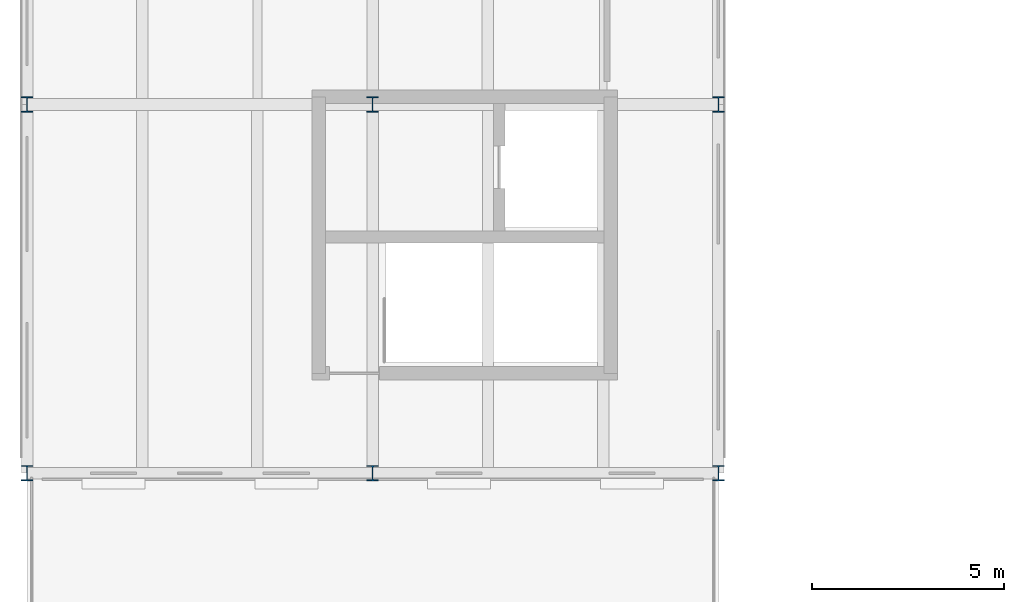
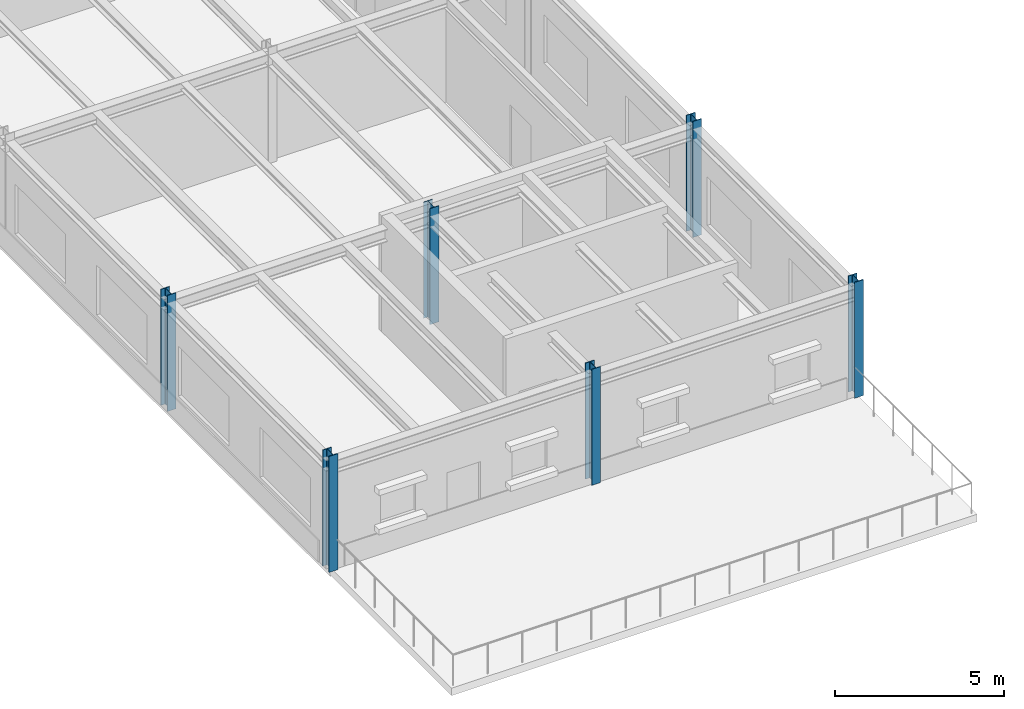
# One storey, part 2 of 69: 6 columns.
"""IFC4 building model written with IfcOpenShell, lengths in metres."""

import ifcopenshell
import ifcopenshell.guid

model = None  # the IFC model being written
_history = None  # IfcOwnerHistory: only IFC2X3 demands one
_inside = {}  # id of a spatial element -> (the spatial element, [elements in it])
_under = {}  # id of a project, library or spatial element -> (it, [spatial elements below it])
_declared = {}  # id of a project -> (the project, [libraries it declares])
_typed = {}  # id of a type object -> (the type object, [elements of that type])
_made_of = {}  # id of a material, layer set ... -> (it, [elements and type objects made of it])


def new_model(schema):
    """Start an empty IFC model of exactly this schema.

    Asked for "IFC4X3", IfcOpenShell would pick the latest addendum, in which some entities
    have other attributes; the version numbers below select the first issue.
    IFC2X3 requires an IfcOwnerHistory on every rooted entity: one is made here for all.
    """
    global model, _history
    if schema == "IFC4X3":
        model = ifcopenshell.file(schema_version=(4, 3, 0, 0))
    else:
        model = ifcopenshell.file(schema=schema)
    _inside.clear()
    _under.clear()
    _declared.clear()
    _typed.clear()
    _made_of.clear()
    _history = None
    if model.schema == "IFC2X3":
        org = make("IfcOrganization", Name="unknown")
        user = make(
            "IfcPersonAndOrganization",
            ThePerson=make("IfcPerson", FamilyName="unknown"),
            TheOrganization=org,
        )
        app = make(
            "IfcApplication",
            ApplicationDeveloper=org,
            Version="unknown",
            ApplicationFullName="unknown",
            ApplicationIdentifier="unknown",
        )
        _history = make(
            "IfcOwnerHistory",
            OwningUser=user,
            OwningApplication=app,
            ChangeAction="ADDED",
            CreationDate=0,
        )
    return model


def make(cls, **values):
    """One entity of the class cls with the attributes given. An attribute that is None is left unset."""
    return model.create_entity(
        cls, **{name: value for name, value in values.items() if value is not None}
    )


def rooted(cls, **values):
    """An entity with a GlobalId (a new one), such as an element, a storey or a relation."""
    return make(cls, GlobalId=ifcopenshell.guid.new(), OwnerHistory=_history, **values)


def si_unit(unit_type, name, prefix=None):
    """IfcSIUnit, for example si_unit("LENGTHUNIT", "METRE", prefix="MILLI")."""
    return make("IfcSIUnit", UnitType=unit_type, Prefix=prefix, Name=name)


def assignment(units):
    """IfcUnitAssignment: the units of a project."""
    return None if units is None else make("IfcUnitAssignment", Units=units)


def point(xyz):
    """IfcCartesianPoint."""
    return None if xyz is None else make("IfcCartesianPoint", Coordinates=xyz)


def direction(xyz):
    """IfcDirection."""
    return None if xyz is None else make("IfcDirection", DirectionRatios=xyz)


def frame(location, z_axis=None, x_axis=None):
    """IfcAxis2Placement3D, a coordinate frame: its origin and axes. An axis left out is left unset."""
    return make(
        "IfcAxis2Placement3D",
        Location=point(location),
        Axis=direction(z_axis),
        RefDirection=direction(x_axis),
    )


def frame_2d(location, x_axis=None):
    """IfcAxis2Placement2D, a coordinate frame in the plane: its origin and x axis."""
    return make(
        "IfcAxis2Placement2D", Location=point(location), RefDirection=direction(x_axis)
    )


def origin():
    """The frame at (0, 0, 0) with its axes left unset."""
    return frame((0.0, 0.0, 0.0))


def origin_2d():
    """The frame at (0, 0) in the plane with its x axis left unset."""
    return frame_2d((0.0, 0.0))


def place(relative_to, where):
    """IfcLocalPlacement: puts the frame where relative to a parent placement (None: the world)."""
    return make(
        "IfcLocalPlacement", PlacementRelTo=relative_to, RelativePlacement=where
    )


def context(
    kind, dimensions, precision=None, world=None, true_north=None, identifier=None
):
    """IfcGeometricRepresentationContext, for example the 3D "Model" context."""
    return make(
        "IfcGeometricRepresentationContext",
        ContextIdentifier=identifier,
        ContextType=kind,
        CoordinateSpaceDimension=dimensions,
        Precision=precision,
        WorldCoordinateSystem=world,
        TrueNorth=true_north,
    )


def subcontext(parent, identifier, kind, view, scale=None):
    """IfcGeometricRepresentationSubContext, for example "Body" below "Model"."""
    return make(
        "IfcGeometricRepresentationSubContext",
        ContextIdentifier=identifier,
        ContextType=kind,
        ParentContext=parent,
        TargetScale=scale,
        TargetView=view,
    )


def project(units=None, contexts=None):
    """IfcProject with its units and contexts."""
    return rooted(
        "IfcProject",
        Name="project",
        RepresentationContexts=contexts,
        UnitsInContext=assignment(units),
    )


def spatial(cls, under=None, at=None, **own):
    """A site, building, storey or space (cls), placed at a placement, below another one or the project."""
    s = rooted(cls, ObjectPlacement=at, **own)
    if under is not None:
        _under.setdefault(under.id(), (under, []))[1].append(s)
    return s


def profile(cls, at=None, kind="AREA", **sizes):
    """A parametric profile (cls). Its sizes go by their IFC names, for example OverallWidth=200.0."""
    return make(cls, ProfileType=kind, Position=at, **sizes)


def i_section(**sizes):
    """IfcIShapeProfileDef."""
    return profile("IfcIShapeProfileDef", **sizes)


def extrude(swept, where, along, depth):
    """IfcExtrudedAreaSolid: the profile swept, set in the frame where, extruded along a direction by depth."""
    return make(
        "IfcExtrudedAreaSolid",
        SweptArea=swept,
        Position=where,
        ExtrudedDirection=direction(along),
        Depth=depth,
    )


def shape(context_of_items, identifier, shape_type, items):
    """IfcShapeRepresentation: the items that make up one representation, for example the "Body"."""
    return make(
        "IfcShapeRepresentation",
        ContextOfItems=context_of_items,
        RepresentationIdentifier=identifier,
        RepresentationType=shape_type,
        Items=items,
    )


def material(Name=None, Category=None):
    """IfcMaterial."""
    return make("IfcMaterial", Name=Name, Category=Category)


def material_profile(
    of_material, cross_section, Name=None, Category=None, Priority=None
):
    """IfcMaterialProfile: a cross section and its material."""
    return make(
        "IfcMaterialProfile",
        Name=Name,
        Material=of_material,
        Profile=cross_section,
        Priority=Priority,
        Category=Category,
    )


def profile_set(profiles, Name=None, composite=None):
    """IfcMaterialProfileSet."""
    return make(
        "IfcMaterialProfileSet",
        Name=Name,
        MaterialProfiles=profiles,
        CompositeProfile=composite,
    )


def made_of(thing, what):
    """Note that an element or type object is made of a material, layer set ...; save() writes the relation."""
    if what is not None:
        _made_of.setdefault(what.id(), (what, []))[1].append(thing)
    return thing


def type_object(cls, material=None, **own):
    """A type object (cls), such as IfcWallType, which elements share."""
    return made_of(rooted(cls, **own), material)


def element(
    cls,
    number,
    at=None,
    inside=None,
    cuts=None,
    type_object=None,
    material=None,
    context=None,
    identifier="Body",
    shape_type=None,
    held_by="IfcProductDefinitionShape",
    body=None,
    shapes=None,
    **own,
):
    """One element of the class cls, such as IfcWall. Its Tag is "e" and its number.

    at: its placement. inside: the storey or other place that contains it. cuts: it is an
    opening in that element (IfcRelVoidsElement). A single representation is given by context,
    identifier, shape_type and body (its items); several are given by shapes. held_by: the class
    of the entity that holds the representations. save() writes the other relations.
    """
    e = rooted(cls, Tag="e%d" % number, ObjectPlacement=at, **own)
    if body is not None:
        shapes = [shape(context, identifier, shape_type, body)]
    if shapes is not None:
        e.Representation = make(held_by, Representations=shapes)
    if inside is not None:
        _inside.setdefault(inside.id(), (inside, []))[1].append(e)
    if cuts is not None:
        rooted(
            "IfcRelVoidsElement", RelatingBuildingElement=cuts, RelatedOpeningElement=e
        )
    if type_object is not None:
        _typed.setdefault(type_object.id(), (type_object, []))[1].append(e)
    return made_of(e, material)


def aggregate(whole, parts):
    """IfcRelAggregates: a whole, such as a stair, and the parts it consists of."""
    return rooted("IfcRelAggregates", RelatingObject=whole, RelatedObjects=parts)


def save(model, path):
    """Write the relations noted so far, then the file.

    IfcRelAggregates (storeys below a building ...), IfcRelContainedInSpatialStructure (elements
    in a storey), IfcRelDefinesByType, IfcRelAssociatesMaterial and IfcRelDeclares: one each for
    every whole, place, type object, material and project.
    """
    for whole, parts in _under.values():
        aggregate(whole, parts)
    for where, things in _inside.values():
        rooted(
            "IfcRelContainedInSpatialStructure",
            RelatedElements=things,
            RelatingStructure=where,
        )
    for kind, things in _typed.values():
        rooted("IfcRelDefinesByType", RelatedObjects=things, RelatingType=kind)
    for what, things in _made_of.values():
        rooted("IfcRelAssociatesMaterial", RelatedObjects=things, RelatingMaterial=what)
    for by, libraries in _declared.values():
        rooted("IfcRelDeclares", RelatingContext=by, RelatedDefinitions=libraries)
    model.write(path)


model = new_model("IFC4")

# Units and contexts
model_context = context("Model", 3, precision=1e-05, world=origin(), true_north=direction((0.0, 1.0)))
body_context = subcontext(model_context, "Body", "Model", "MODEL_VIEW")
ifc_project = project(units=[si_unit("LENGTHUNIT", "METRE"), si_unit("AREAUNIT", "SQUARE_METRE"), si_unit("VOLUMEUNIT", "CUBIC_METRE"), si_unit("PLANEANGLEUNIT", "RADIAN"), si_unit("MASSUNIT", "GRAM", prefix="KILO")], contexts=[model_context])

# Site, building, storey
site_placement = place(None, origin())
site = spatial("IfcSite", under=ifc_project, at=site_placement, CompositionType="ELEMENT")
building_placement = place(site_placement, origin())
building = spatial("IfcBuilding", under=site, at=building_placement, Name="Montealbar Specialist Clinic", CompositionType="ELEMENT")
storey_placement = place(building_placement, frame((0.0, 0.0, 9.60009765625)))
storey = spatial("IfcBuildingStorey", under=building, at=storey_placement, Name="L02", CompositionType="ELEMENT", Elevation=9.60009765625)

# Columns
ifc_material = material(Name="Steel S355", Category="steel")
ifc_material_profile_1 = material_profile(ifc_material, i_section(OverallWidth=0.300048828125, OverallDepth=0.39990234375, WebThickness=0.013427734375, FlangeThickness=0.02392578125, FilletRadius=0.027099609375, at=origin_2d()), Name="HEB 400", Category="steel")
ifc_profile_set_1 = profile_set([ifc_material_profile_1], Name="Steel S355")
column_type_1 = type_object("IfcColumnType", Name="COL-S-L02-STD", PredefinedType="COLUMN", material=ifc_profile_set_1)
column_placement = place(storey_placement, frame((9.0, 61.800048828125, 0.0), z_axis=(0.0, 0.0, 1.0), x_axis=(1.0, 0.0, 0.0)))
element("IfcColumn", 1, at=column_placement, inside=storey, type_object=column_type_1, Name="Column 2/H L02", PredefinedType="COLUMN", context=body_context, shape_type="SweptSolid", body=[
    extrude(i_section(OverallWidth=0.300048828125, OverallDepth=0.39990234375, WebThickness=0.013427734375, FlangeThickness=0.02392578125, FilletRadius=0.027099609375, at=origin_2d()), origin(), (0.0, 0.0, 1.0), 4.199951171875),
])
ifc_material_profile_2 = material_profile(ifc_material, i_section(OverallWidth=0.300048828125, OverallDepth=0.39990234375, WebThickness=0.013427734375, FlangeThickness=0.02392578125, FilletRadius=0.027099609375, at=origin_2d()), Name="HEB 400", Category="steel")
ifc_profile_set_2 = profile_set([ifc_material_profile_2], Name="Steel S355")
column_type_2 = type_object("IfcColumnType", Name="COL-S-L02-STD-EXT", PredefinedType="COLUMN", material=ifc_profile_set_2)
for number, where, z_axis, x_axis, name in (
    (2, (0.0, 52.199951171875, 0.0), (0.0, 0.0, 1.0), (1.0, 0.0, 0.0), "Column 1/G L02"),
    (3, (0.0, 61.800048828125, 0.0), (0.0, 0.0, 1.0), (1.0, 0.0, 0.0), "Column 1/H L02"),
    (4, (9.0, 52.199951171875, 0.0), (0.0, 0.0, 1.0), (1.0, 0.0, 0.0), "Column 2/G L02"),
    (5, (18.0, 52.199951171875, 0.0), (0.0, 0.0, 1.0), (1.0, 0.0, 0.0), "Column 3/G L02"),
    (6, (18.0, 61.800048828125, 0.0), (0.0, 0.0, 1.0), (1.0, 0.0, 0.0), "Column 3/H L02"),
):
    element("IfcColumn", number, at=place(storey_placement, frame(where, z_axis=z_axis, x_axis=x_axis)), inside=storey, type_object=column_type_2, Name=name, PredefinedType="COLUMN", context=body_context, shape_type="SweptSolid", body=[
        extrude(i_section(OverallWidth=0.300048828125, OverallDepth=0.39990234375, WebThickness=0.013427734375, FlangeThickness=0.02392578125, FilletRadius=0.027099609375, at=origin_2d()), origin(), (0.0, 0.0, 1.0), 4.199951171875),
    ])

save(model, "model.ifc")
